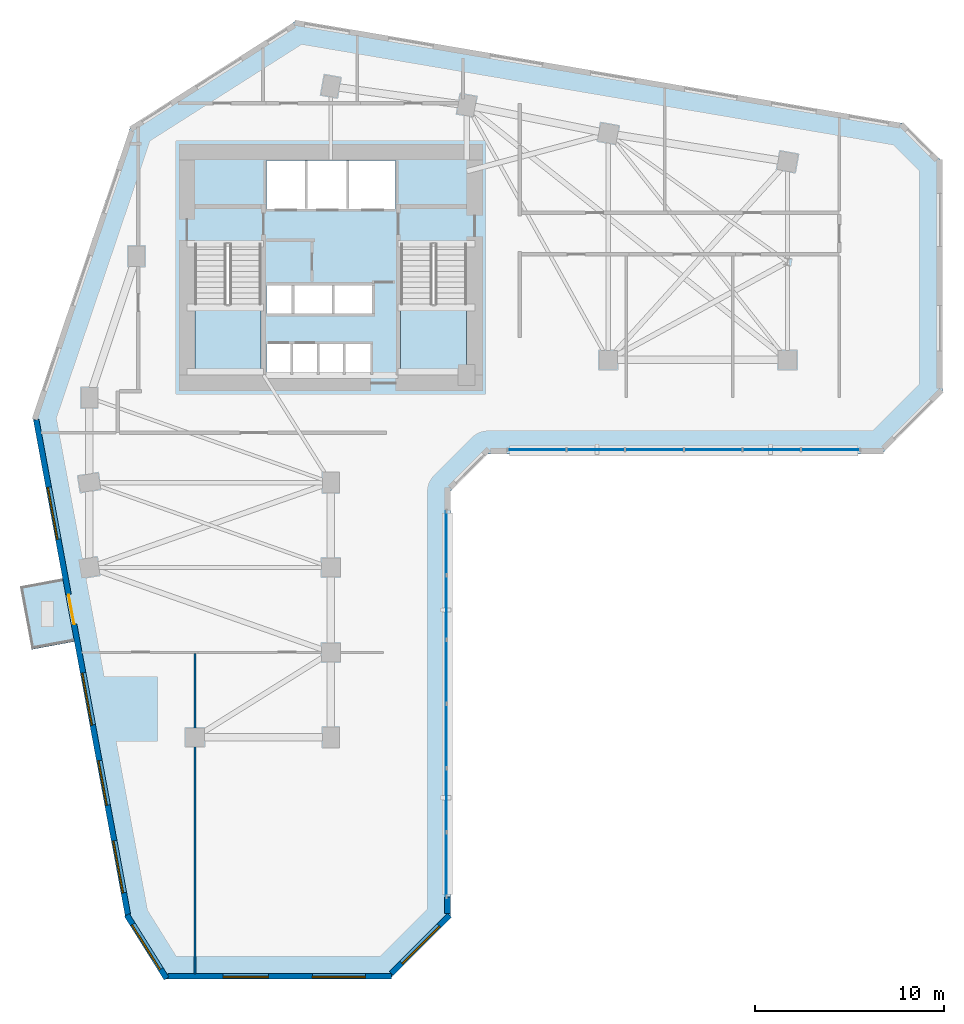
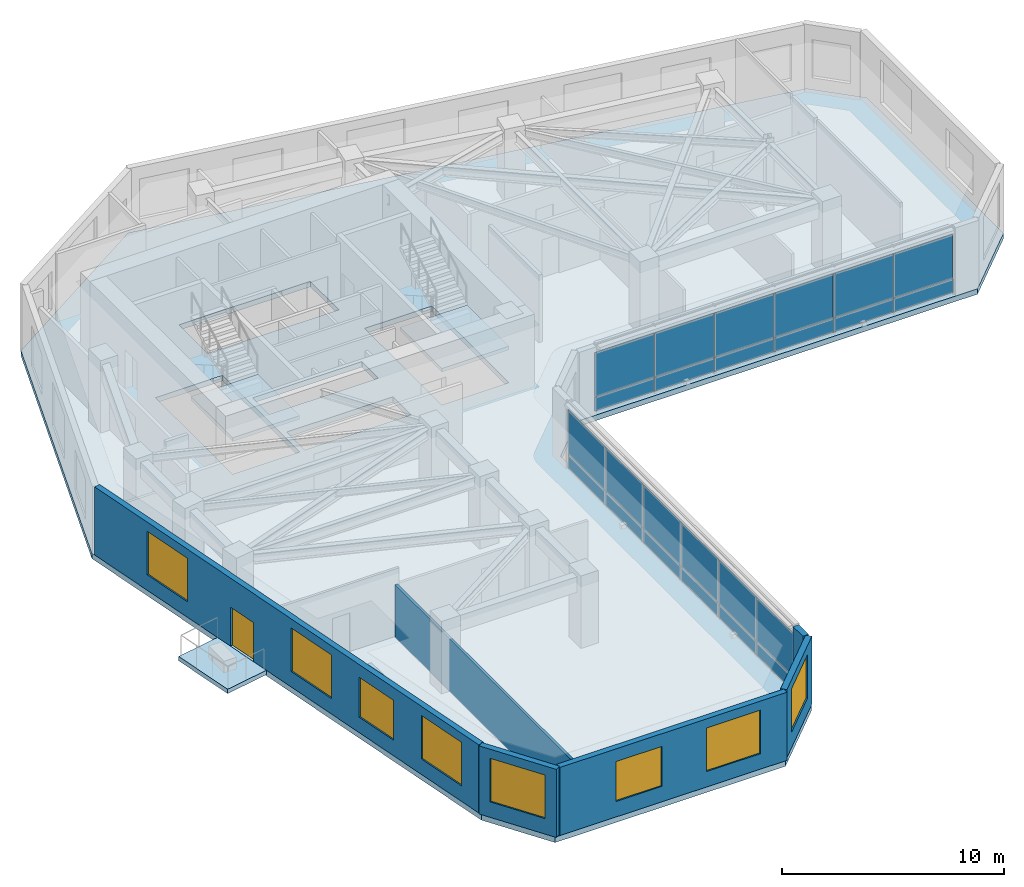
# One storey, part 4 of 9: 24 plates, 8 windows, 6 walls, 4 slabs, 1 door, 9 openings, 4 elements without a shape of their own.
"""IFC4 building model written with IfcOpenShell, lengths in metres."""

from ifc_helpers import new_model, si_unit, direction, frame, frame_2d, origin, place, context, subcontext, project, spatial, polyline, rectangle, outline, extrude, source, transform, mapped, material, layer, layer_set, type_object, element, fill, aggregate, save


model = new_model("IFC4")

# Units and contexts
model_context = context("Model", 3, precision=1e-05, world=origin(), true_north=direction((0.0, 1.0)))
body_context = subcontext(model_context, "Body", "Model", "MODEL_VIEW")
ifc_project = project(units=[si_unit("LENGTHUNIT", "METRE"), si_unit("AREAUNIT", "SQUARE_METRE"), si_unit("VOLUMEUNIT", "CUBIC_METRE"), si_unit("PLANEANGLEUNIT", "RADIAN"), si_unit("MASSUNIT", "GRAM", prefix="KILO")], contexts=[model_context])

# Site, building, storey
site_placement = place(None, origin())
site = spatial("IfcSite", under=ifc_project, at=site_placement, CompositionType="ELEMENT")
building_placement = place(site_placement, origin())
building = spatial("IfcBuilding", under=site, at=building_placement, Name="Calvemar Wedge Station Tower", CompositionType="ELEMENT")
storey_placement = place(building_placement, frame((0.0, 0.0, 63.0)))
storey = spatial("IfcBuildingStorey", under=building, at=storey_placement, Name="L15", CompositionType="ELEMENT", Elevation=63.0)

# Curtain wall, plates
ifc_material_1 = material(Name="Anodised aluminium 6063-T6", Category="aluminium")
curtain_wall_type = type_object("IfcCurtainWallType", Name="CW1", PredefinedType="NOTDEFINED", material=ifc_material_1)
curtain_wall_1_placement = place(storey_placement, origin())
curtain_wall_1 = element("IfcCurtainWall", 1, at=curtain_wall_1_placement, inside=storey, type_object=curtain_wall_type, Name="Storey L15 CW1 Recessed Unitised Curtain Wall 4", PredefinedType="NOTDEFINED")
ifc_material_2 = material(Name="Low-E laminated insulated glass", Category="glass")
ifc_layer_1 = layer(ifc_material_2, 0.028076171875)
ifc_layer_set_1 = layer_set([ifc_layer_1], Name="Low-E laminated insulated glass")
plate_type_1 = type_object("IfcPlateType", Name="CW1-GLZ", PredefinedType="CURTAIN_PANEL", material=ifc_layer_set_1)
plate_1_placement = place(storey_placement, frame((29.91796875, 6.580078125, 0.8701171875), z_axis=(0.0, 0.0, 1.0), x_axis=(0.0, 1.0, 0.0)))
plate_1 = element("IfcPlate", 2, at=plate_1_placement, type_object=plate_type_1, Name="CW1 vision glass panel 1", PredefinedType="CURTAIN_PANEL", context=body_context, shape_type="SweptSolid", body=[
    extrude(rectangle(XDim=3.36865234375, YDim=0.028076171875, at=frame_2d((1.684326171875, 0.0))), origin(), (0.0, 0.0, 1.0), 2.409912109375),
])
plate_2_placement = place(storey_placement, frame((29.91796875, 9.98486328125, 0.8701171875), z_axis=(0.0, 0.0, 1.0), x_axis=(0.0, 1.0, 0.0)))
plate_2 = element("IfcPlate", 3, at=plate_2_placement, type_object=plate_type_1, Name="CW1 vision glass panel 2", PredefinedType="CURTAIN_PANEL", context=body_context, shape_type="SweptSolid", body=[
    extrude(rectangle(XDim=3.36865234375, YDim=0.028076171875, at=frame_2d((1.684326171875, 0.0))), origin(), (0.0, 0.0, 1.0), 2.409912109375),
])
plate_3_placement = place(storey_placement, frame((29.91796875, 13.389404296875, 0.8701171875), z_axis=(0.0, 0.0, 1.0), x_axis=(0.0, 1.0, 0.0)))
plate_3 = element("IfcPlate", 4, at=plate_3_placement, type_object=plate_type_1, Name="CW1 vision glass panel 3", PredefinedType="CURTAIN_PANEL", context=body_context, shape_type="SweptSolid", body=[
    extrude(rectangle(XDim=3.36865234375, YDim=0.028076171875, at=frame_2d((1.684326171875, 0.0))), origin(), (0.0, 0.0, 1.0), 2.409912109375),
])
plate_4_placement = place(storey_placement, frame((29.91796875, 16.794189453125, 0.8701171875), z_axis=(0.0, 0.0, 1.0), x_axis=(0.0, 1.0, 0.0)))
plate_4 = element("IfcPlate", 5, at=plate_4_placement, type_object=plate_type_1, Name="CW1 vision glass panel 4", PredefinedType="CURTAIN_PANEL", context=body_context, shape_type="SweptSolid", body=[
    extrude(rectangle(XDim=3.36865234375, YDim=0.028076171875, at=frame_2d((1.684326171875, 0.0))), origin(), (0.0, 0.0, 1.0), 2.409912109375),
])
plate_5_placement = place(storey_placement, frame((29.91796875, 20.19873046875, 0.8701171875), z_axis=(0.0, 0.0, 1.0), x_axis=(0.0, 1.0, 0.0)))
plate_5 = element("IfcPlate", 6, at=plate_5_placement, type_object=plate_type_1, Name="CW1 vision glass panel 5", PredefinedType="CURTAIN_PANEL", context=body_context, shape_type="SweptSolid", body=[
    extrude(rectangle(XDim=3.36865234375, YDim=0.028076171875, at=frame_2d((1.684326171875, 0.0))), origin(), (0.0, 0.0, 1.0), 2.409912109375),
])
plate_6_placement = place(storey_placement, frame((29.91796875, 23.603515625, 0.8701171875), z_axis=(0.0, 0.0, 1.0), x_axis=(0.0, 1.0, 0.0)))
plate_6 = element("IfcPlate", 7, at=plate_6_placement, type_object=plate_type_1, Name="CW1 vision glass panel 6", PredefinedType="CURTAIN_PANEL", context=body_context, shape_type="SweptSolid", body=[
    extrude(rectangle(XDim=3.36865234375, YDim=0.028076171875, at=frame_2d((1.684326171875, 0.0))), origin(), (0.0, 0.0, 1.0), 2.409912109375),
])

curtain_wall_2_placement = place(storey_placement, origin())
curtain_wall_2 = element("IfcCurtainWall", 8, at=curtain_wall_2_placement, inside=storey, type_object=curtain_wall_type, Name="Storey L15 CW1 Recessed Unitised Curtain Wall 6", PredefinedType="NOTDEFINED")
plate_7_placement = place(storey_placement, frame((33.183837890625, 30.238037109375, 0.8701171875), z_axis=(0.0, 0.0, 1.0), x_axis=(1.0, 0.0, 0.0)))
plate_7 = element("IfcPlate", 9, at=plate_7_placement, type_object=plate_type_1, Name="CW1 vision glass panel 1", PredefinedType="CURTAIN_PANEL", context=body_context, shape_type="SweptSolid", body=[
    extrude(rectangle(XDim=3.076171875, YDim=0.028076171875, at=frame_2d((1.5380859375, 0.0))), origin(), (0.0, 0.0, 1.0), 2.409912109375),
])
plate_8_placement = place(storey_placement, frame((36.2958984375, 30.238037109375, 0.8701171875), z_axis=(0.0, 0.0, 1.0), x_axis=(1.0, 0.0, 0.0)))
plate_8 = element("IfcPlate", 10, at=plate_8_placement, type_object=plate_type_1, Name="CW1 vision glass panel 2", PredefinedType="CURTAIN_PANEL", context=body_context, shape_type="SweptSolid", body=[
    extrude(rectangle(XDim=3.075927734375, YDim=0.028076171875, at=frame_2d((1.5380859375, 0.0))), origin(), (0.0, 0.0, 1.0), 2.409912109375),
])
plate_9_placement = place(storey_placement, frame((39.407958984375, 30.238037109375, 0.8701171875), z_axis=(0.0, 0.0, 1.0), x_axis=(1.0, 0.0, 0.0)))
plate_9 = element("IfcPlate", 11, at=plate_9_placement, type_object=plate_type_1, Name="CW1 vision glass panel 3", PredefinedType="CURTAIN_PANEL", context=body_context, shape_type="SweptSolid", body=[
    extrude(rectangle(XDim=3.075927734375, YDim=0.028076171875, at=frame_2d((1.5380859375, 0.0))), origin(), (0.0, 0.0, 1.0), 2.409912109375),
])
plate_10_placement = place(storey_placement, frame((42.52001953125, 30.238037109375, 0.8701171875), z_axis=(0.0, 0.0, 1.0), x_axis=(1.0, 0.0, 0.0)))
plate_10 = element("IfcPlate", 12, at=plate_10_placement, type_object=plate_type_1, Name="CW1 vision glass panel 4", PredefinedType="CURTAIN_PANEL", context=body_context, shape_type="SweptSolid", body=[
    extrude(rectangle(XDim=3.075927734375, YDim=0.028076171875, at=frame_2d((1.5380859375, 0.0))), origin(), (0.0, 0.0, 1.0), 2.409912109375),
])
plate_11_placement = place(storey_placement, frame((45.6318359375, 30.238037109375, 0.8701171875), z_axis=(0.0, 0.0, 1.0), x_axis=(1.0, 0.0, 0.0)))
plate_11 = element("IfcPlate", 13, at=plate_11_placement, type_object=plate_type_1, Name="CW1 vision glass panel 5", PredefinedType="CURTAIN_PANEL", context=body_context, shape_type="SweptSolid", body=[
    extrude(rectangle(XDim=3.076171875, YDim=0.028076171875, at=frame_2d((1.5380859375, 0.0))), origin(), (0.0, 0.0, 1.0), 2.409912109375),
])
plate_12_placement = place(storey_placement, frame((48.743896484375, 30.238037109375, 0.8701171875), z_axis=(0.0, 0.0, 1.0), x_axis=(1.0, 0.0, 0.0)))
plate_12 = element("IfcPlate", 14, at=plate_12_placement, type_object=plate_type_1, Name="CW1 vision glass panel 6", PredefinedType="CURTAIN_PANEL", context=body_context, shape_type="SweptSolid", body=[
    extrude(rectangle(XDim=3.075927734375, YDim=0.028076171875, at=frame_2d((1.5380859375, 0.0))), origin(), (0.0, 0.0, 1.0), 2.409912109375),
])

# Plate
ifc_material_3 = material(Name="Oxidized bronze aluminium spandrel panel 5005-H24", Category="aluminium")
ifc_layer_2 = layer(ifc_material_3, 0.0400390625)
ifc_layer_set_2 = layer_set([ifc_layer_2], Name="Oxidized bronze aluminium spandrel panel 5005-H24")
plate_type_2 = type_object("IfcPlateType", Name="CW1-SPD", PredefinedType="SHEET", material=ifc_layer_set_2)
plate_13_placement = place(storey_placement, frame((29.91796875, 6.580078125, 0.080078125), z_axis=(0.0, 0.0, 1.0), x_axis=(0.0, 1.0, 0.0)))
plate_13 = element("IfcPlate", 15, at=plate_13_placement, type_object=plate_type_2, Name="CW1 bronze spandrel panel 1", PredefinedType="SHEET", context=body_context, shape_type="SweptSolid", body=[
    extrude(rectangle(XDim=3.36865234375, YDim=0.0400390625, at=frame_2d((1.684326171875, 0.0))), origin(), (0.0, 0.0, 1.0), 0.75),
])

plate_14_placement = place(storey_placement, frame((29.91796875, 9.98486328125, 0.080078125), z_axis=(0.0, 0.0, 1.0), x_axis=(0.0, 1.0, 0.0)))
plate_14 = element("IfcPlate", 16, at=plate_14_placement, type_object=plate_type_2, Name="CW1 bronze spandrel panel 2", PredefinedType="SHEET", context=body_context, shape_type="SweptSolid", body=[
    extrude(rectangle(XDim=3.36865234375, YDim=0.0400390625, at=frame_2d((1.684326171875, 0.0))), origin(), (0.0, 0.0, 1.0), 0.75),
])

plate_15_placement = place(storey_placement, frame((29.91796875, 13.389404296875, 0.080078125), z_axis=(0.0, 0.0, 1.0), x_axis=(0.0, 1.0, 0.0)))
plate_15 = element("IfcPlate", 17, at=plate_15_placement, type_object=plate_type_2, Name="CW1 bronze spandrel panel 3", PredefinedType="SHEET", context=body_context, shape_type="SweptSolid", body=[
    extrude(rectangle(XDim=3.36865234375, YDim=0.0400390625, at=frame_2d((1.684326171875, 0.0))), origin(), (0.0, 0.0, 1.0), 0.75),
])

plate_16_placement = place(storey_placement, frame((29.91796875, 16.794189453125, 0.080078125), z_axis=(0.0, 0.0, 1.0), x_axis=(0.0, 1.0, 0.0)))
plate_16 = element("IfcPlate", 18, at=plate_16_placement, type_object=plate_type_2, Name="CW1 bronze spandrel panel 4", PredefinedType="SHEET", context=body_context, shape_type="SweptSolid", body=[
    extrude(rectangle(XDim=3.36865234375, YDim=0.0400390625, at=frame_2d((1.684326171875, 0.0))), origin(), (0.0, 0.0, 1.0), 0.75),
])

plate_17_placement = place(storey_placement, frame((29.91796875, 20.19873046875, 0.080078125), z_axis=(0.0, 0.0, 1.0), x_axis=(0.0, 1.0, 0.0)))
plate_17 = element("IfcPlate", 19, at=plate_17_placement, type_object=plate_type_2, Name="CW1 bronze spandrel panel 5", PredefinedType="SHEET", context=body_context, shape_type="SweptSolid", body=[
    extrude(rectangle(XDim=3.36865234375, YDim=0.0400390625, at=frame_2d((1.684326171875, 0.0))), origin(), (0.0, 0.0, 1.0), 0.75),
])

plate_18_placement = place(storey_placement, frame((29.91796875, 23.603515625, 0.080078125), z_axis=(0.0, 0.0, 1.0), x_axis=(0.0, 1.0, 0.0)))
plate_18 = element("IfcPlate", 20, at=plate_18_placement, type_object=plate_type_2, Name="CW1 bronze spandrel panel 6", PredefinedType="SHEET", context=body_context, shape_type="SweptSolid", body=[
    extrude(rectangle(XDim=3.36865234375, YDim=0.0400390625, at=frame_2d((1.684326171875, 0.0))), origin(), (0.0, 0.0, 1.0), 0.75),
])

aggregate(curtain_wall_1, [plate_13, plate_1, plate_14, plate_2, plate_15, plate_3, plate_16, plate_4, plate_17, plate_5, plate_18, plate_6])

plate_19_placement = place(storey_placement, frame((33.183837890625, 30.238037109375, 0.080078125), z_axis=(0.0, 0.0, 1.0), x_axis=(1.0, 0.0, 0.0)))
plate_19 = element("IfcPlate", 21, at=plate_19_placement, type_object=plate_type_2, Name="CW1 bronze spandrel panel 1", PredefinedType="SHEET", context=body_context, shape_type="SweptSolid", body=[
    extrude(rectangle(XDim=3.076171875, YDim=0.0400390625, at=frame_2d((1.5380859375, 0.0))), origin(), (0.0, 0.0, 1.0), 0.75),
])

plate_20_placement = place(storey_placement, frame((36.2958984375, 30.238037109375, 0.080078125), z_axis=(0.0, 0.0, 1.0), x_axis=(1.0, 0.0, 0.0)))
plate_20 = element("IfcPlate", 22, at=plate_20_placement, type_object=plate_type_2, Name="CW1 bronze spandrel panel 2", PredefinedType="SHEET", context=body_context, shape_type="SweptSolid", body=[
    extrude(rectangle(XDim=3.075927734375, YDim=0.0400390625, at=frame_2d((1.5380859375, 0.0))), origin(), (0.0, 0.0, 1.0), 0.75),
])

plate_21_placement = place(storey_placement, frame((39.407958984375, 30.238037109375, 0.080078125), z_axis=(0.0, 0.0, 1.0), x_axis=(1.0, 0.0, 0.0)))
plate_21 = element("IfcPlate", 23, at=plate_21_placement, type_object=plate_type_2, Name="CW1 bronze spandrel panel 3", PredefinedType="SHEET", context=body_context, shape_type="SweptSolid", body=[
    extrude(rectangle(XDim=3.075927734375, YDim=0.0400390625, at=frame_2d((1.5380859375, 0.0))), origin(), (0.0, 0.0, 1.0), 0.75),
])

plate_22_placement = place(storey_placement, frame((42.52001953125, 30.238037109375, 0.080078125), z_axis=(0.0, 0.0, 1.0), x_axis=(1.0, 0.0, 0.0)))
plate_22 = element("IfcPlate", 24, at=plate_22_placement, type_object=plate_type_2, Name="CW1 bronze spandrel panel 4", PredefinedType="SHEET", context=body_context, shape_type="SweptSolid", body=[
    extrude(rectangle(XDim=3.075927734375, YDim=0.0400390625, at=frame_2d((1.5380859375, 0.0))), origin(), (0.0, 0.0, 1.0), 0.75),
])

plate_23_placement = place(storey_placement, frame((45.6318359375, 30.238037109375, 0.080078125), z_axis=(0.0, 0.0, 1.0), x_axis=(1.0, 0.0, 0.0)))
plate_23 = element("IfcPlate", 25, at=plate_23_placement, type_object=plate_type_2, Name="CW1 bronze spandrel panel 5", PredefinedType="SHEET", context=body_context, shape_type="SweptSolid", body=[
    extrude(rectangle(XDim=3.076171875, YDim=0.0400390625, at=frame_2d((1.5380859375, 0.0))), origin(), (0.0, 0.0, 1.0), 0.75),
])

plate_24_placement = place(storey_placement, frame((48.743896484375, 30.238037109375, 0.080078125), z_axis=(0.0, 0.0, 1.0), x_axis=(1.0, 0.0, 0.0)))
plate_24 = element("IfcPlate", 26, at=plate_24_placement, type_object=plate_type_2, Name="CW1 bronze spandrel panel 6", PredefinedType="SHEET", context=body_context, shape_type="SweptSolid", body=[
    extrude(rectangle(XDim=3.075927734375, YDim=0.0400390625, at=frame_2d((1.5380859375, 0.0))), origin(), (0.0, 0.0, 1.0), 0.75),
])

aggregate(curtain_wall_2, [plate_19, plate_7, plate_20, plate_8, plate_21, plate_9, plate_22, plate_10, plate_23, plate_11, plate_24, plate_12])

# Slab
ifc_material_4 = material(Name="Concrete C50", Category="concrete")
ifc_layer_3 = layer(ifc_material_4, 0.300048828125)
ifc_layer_set_3 = layer_set([ifc_layer_3], Name="Concrete C50")
slab_type_1 = type_object("IfcSlabType", Name="SL-REF-300", PredefinedType="FLOOR", material=ifc_layer_set_3)
slab_1_placement = place(storey_placement, frame((0.0, 0.0, -0.300048828125)))
element("IfcSlab", 27, at=slab_1_placement, inside=storey, type_object=slab_type_1, Name="Storey L15 Structural Floor Slab", PredefinedType="FLOOR", context=body_context, shape_type="SweptSolid", body=[
    extrude(outline(polyline([(8.0, 32.0), (12.927978515625, 5.39990234375), (14.927978515625, 2.199951171875), (26.927978515625, 2.199951171875), (30.1279296875, 5.39990234375), (30.1279296875, 28.028076171875), (32.1279296875, 30.028076171875), (53.0, 30.028076171875), (56.199951171875, 33.22802734375), (56.199951171875, 45.528076171875), (54.199951171875, 47.528076171875), (22.0, 53.0), (13.199951171875, 47.39990234375), (8.0, 32.0)]), holes=[polyline([(21.739990234375, 35.85009765625), (21.72998046875, 35.85009765625), (20.3798828125, 35.85009765625), (20.3798828125, 34.219970703125), (21.72998046875, 34.219970703125), (21.739990234375, 34.219970703125), (23.1201171875, 34.219970703125), (23.1298828125, 34.219970703125), (24.510009765625, 34.219970703125), (24.52001953125, 34.219970703125), (25.909912109375, 34.219970703125), (25.909912109375, 35.85009765625), (24.52001953125, 35.85009765625), (24.510009765625, 35.85009765625), (23.1298828125, 35.85009765625), (23.1201171875, 35.85009765625), (21.739990234375, 35.85009765625)]), polyline([(16.60009765625, 41.14990234375), (16.60009765625, 34.199951171875), (20.10009765625, 34.199951171875), (20.10009765625, 41.14990234375), (16.60009765625, 41.14990234375)]), polyline([(27.5, 34.199951171875), (31.0, 34.199951171875), (31.0, 41.14990234375), (27.5, 41.14990234375), (27.5, 34.199951171875)]), polyline([(21.7900390625, 37.449951171875), (21.800048828125, 37.449951171875), (23.929931640625, 37.449951171875), (23.93994140625, 37.449951171875), (26.080078125, 37.449951171875), (26.080078125, 38.949951171875), (23.93994140625, 38.949951171875), (23.929931640625, 38.949951171875), (21.800048828125, 38.949951171875), (21.7900390625, 38.949951171875), (20.3798828125, 38.949951171875), (20.3798828125, 37.449951171875), (21.7900390625, 37.449951171875)]), polyline([(20.3798828125, 43.0), (27.219970703125, 43.0), (27.219970703125, 45.580078125), (20.3798828125, 45.580078125), (20.3798828125, 43.0)])]), origin(), (0.0, 0.0, 1.0), 0.300048828125),
])

# Stair, slab
ifc_material_5 = material(Name="Concrete C45", Category="concrete")
stair_type = type_object("IfcStairType", Name="ST-TYPE-4000", PredefinedType="HALF_TURN_STAIR", material=ifc_material_5)
stair_1_placement = place(storey_placement, origin())
stair_1 = element("IfcStair", 28, at=stair_1_placement, inside=storey, type_object=stair_type, Name="L15 Pressurized Core Exit Stair ST-C1", PredefinedType="HALF_TURN_STAIR")
ifc_layer_4 = layer(ifc_material_5, 0.199951171875)
ifc_layer_set_4 = layer_set([ifc_layer_4], Name="Concrete C45")
slab_type_2 = type_object("IfcSlabType", Name="SL-STAIR-LND-200", PredefinedType="LANDING", material=ifc_layer_set_4)
slab_2_placement = place(storey_placement, frame((0.0, 0.0, 1.800048828125)))
slab_2 = element("IfcSlab", 29, at=slab_2_placement, type_object=slab_type_2, Name="ST-C1 landing 1", PredefinedType="LANDING", context=body_context, shape_type="SweptSolid", body=[
    extrude(outline(polyline([(16.60009765625, 37.9599609375), (16.60009765625, 34.199951171875), (20.10009765625, 34.199951171875), (20.10009765625, 37.9599609375), (16.60009765625, 37.9599609375)])), origin(), (0.0, 0.0, 1.0), 0.199951171875),
])
aggregate(stair_1, [slab_2])

stair_2_placement = place(storey_placement, origin())
stair_2 = element("IfcStair", 30, at=stair_2_placement, inside=storey, type_object=stair_type, Name="L15 Pressurized Core Exit Stair ST-C2", PredefinedType="HALF_TURN_STAIR")
slab_3_placement = place(storey_placement, frame((0.0, 0.0, 1.800048828125)))
slab_3 = element("IfcSlab", 31, at=slab_3_placement, type_object=slab_type_2, Name="ST-C2 landing 1", PredefinedType="LANDING", context=body_context, shape_type="SweptSolid", body=[
    extrude(outline(polyline([(27.5, 37.9599609375), (27.5, 34.199951171875), (31.0, 34.199951171875), (31.0, 37.9599609375), (27.5, 37.9599609375)])), origin(), (0.0, 0.0, 1.0), 0.199951171875),
])
aggregate(stair_2, [slab_3])

# Slab
ifc_layer_5 = layer(ifc_material_5, 0.239990234375)
ifc_layer_set_5 = layer_set([ifc_layer_5], Name="Concrete C45")
slab_type_3 = type_object("IfcSlabType", Name="SL-TERR-240", PredefinedType="FLOOR", material=ifc_layer_set_5)
slab_4_placement = place(storey_placement, frame((0.0, 0.0, -0.239990234375)))
element("IfcSlab", 32, at=slab_4_placement, inside=storey, type_object=slab_type_3, Name="Storey L15 Planted Spiral Terrace Slab", PredefinedType="FLOOR", context=body_context, shape_type="SweptSolid", body=[
    extrude(outline(polyline([(9.589111328125, 23.422119140625), (7.326904296875, 23.0029296875), (7.947021484375, 19.658935546875), (10.208984375, 20.077880859375), (9.589111328125, 23.422119140625)])), origin(), (0.0, 0.0, 1.0), 0.239990234375),
])

# Wall, opening, window
ifc_material_6 = material(Name="Precast concrete C45", Category="concrete")
ifc_layer_6 = layer(ifc_material_6, 0.300048828125)
ifc_layer_set_6 = layer_set([ifc_layer_6], Name="Precast concrete C45")
wall_type_1 = type_object("IfcWallType", Name="W-EXT-GFRC-300", PredefinedType="SOLIDWALL", material=ifc_layer_set_6)
wall_1_placement = place(storey_placement, frame((12.99072265625, 5.58251953125, 0.0), z_axis=(0.0, 0.0, 1.0), x_axis=(0.530015557218, -0.847987918019, 0.0)))
wall_1 = element("IfcWall", 33, at=wall_1_placement, inside=storey, type_object=wall_type_1, Name="Storey L15 Bronze GFRC Exterior Wall 1", PredefinedType="SOLIDWALL", context=body_context, shape_type="SweptSolid", body=[
    extrude(rectangle(XDim=3.9619140625, YDim=0.300048828125, at=frame_2d((1.98095703125, 0.0))), origin(), (0.0, 0.0, 1.0), 3.75),
])
shared_shape_1 = source(origin(), body_context, "Body", "SweptSolid", [
    extrude(rectangle(XDim=2.800048828125, YDim=2.39990234375, at=frame_2d((1.39990234375, 1.199951171875))), frame((0.0, 0.16015625, 0.0), z_axis=(0.0, -1.0, 0.0), x_axis=(1.0, 0.0, 0.0)), (0.0, 0.0, 1.0), 0.320068359375),
])
opening_1_placement = place(wall_1_placement, frame((0.5810546875, 0.0, 0.85009765625)))
opening_1 = element("IfcOpeningElement", 34, at=opening_1_placement, cuts=wall_1, Name="Opening W6", PredefinedType="OPENING", context=body_context, shape_type="MappedRepresentation", body=[
    mapped(shared_shape_1, transform((0.0, 0.0, 0.0), scale=1.0)),
])
window_type_1 = type_object("IfcWindowType", Name="WIN-EXT-6", PartitioningType="SINGLE_PANEL", PredefinedType="WINDOW", material=ifc_material_2)
shared_shape_2 = source(origin(), body_context, "Body", "SweptSolid", [
    extrude(rectangle(XDim=2.800048828125, YDim=2.39990234375, at=frame_2d((1.39990234375, 1.199951171875))), frame((0.0, -0.014892578125, 0.0), z_axis=(0.0, -1.0, 0.0), x_axis=(1.0, 0.0, 0.0)), (0.0, 0.0, 1.0), 0.06005859375),
])
window_1_placement = place(opening_1_placement, origin())
window_1 = element("IfcWindow", 35, at=window_1_placement, inside=storey, type_object=window_type_1, Name="Storey L15 Recessed Window 1.1", OverallHeight=2.39990234375, OverallWidth=2.800048828125, PartitioningType="SINGLE_PANEL", PredefinedType="WINDOW", context=body_context, shape_type="MappedRepresentation", body=[
    mapped(shared_shape_2, transform((0.0, 0.0, 0.0), scale=1.0)),
])
fill(opening_1, window_1)

# Wall, openings, windows
wall_2_placement = place(storey_placement, frame((15.173828125, 2.35009765625, 0.0), z_axis=(0.0, 0.0, 1.0), x_axis=(1.0, 0.0, 0.0)))
wall_2 = element("IfcWall", 36, at=wall_2_placement, inside=storey, type_object=wall_type_1, Name="Storey L15 Bronze GFRC Exterior Wall 2", PredefinedType="SOLIDWALL", context=body_context, shape_type="SweptSolid", body=[
    extrude(rectangle(XDim=11.842041015625, YDim=0.300048828125, at=frame_2d((5.9208984375, 0.0))), origin(), (0.0, 0.0, 1.0), 3.75),
])
shared_shape_3 = source(origin(), body_context, "Body", "SweptSolid", [
    extrude(rectangle(XDim=2.39990234375, YDim=2.199951171875, at=frame_2d((1.199951171875, 1.10009765625))), frame((0.0, 0.16015625, 0.0), z_axis=(0.0, -1.0, 0.0), x_axis=(1.0, 0.0, 0.0)), (0.0, 0.0, 1.0), 0.320068359375),
])
opening_2_placement = place(wall_2_placement, frame((2.9150390625, 0.0, 0.85009765625)))
opening_2 = element("IfcOpeningElement", 37, at=opening_2_placement, cuts=wall_2, Name="Opening W1", PredefinedType="OPENING", context=body_context, shape_type="MappedRepresentation", body=[
    mapped(shared_shape_3, transform((0.0, 0.0, 0.0), scale=1.0)),
])
opening_3_placement = place(wall_2_placement, frame((7.653076171875, 0.0, 0.85009765625)))
opening_3 = element("IfcOpeningElement", 38, at=opening_3_placement, cuts=wall_2, Name="Opening W6", PredefinedType="OPENING", context=body_context, shape_type="MappedRepresentation", body=[
    mapped(shared_shape_1, transform((0.0, 0.0, 0.0), scale=1.0)),
])
window_2_placement = place(opening_3_placement, origin())
window_2 = element("IfcWindow", 39, at=window_2_placement, inside=storey, type_object=window_type_1, Name="Storey L15 Recessed Window 2.2", OverallHeight=2.39990234375, OverallWidth=2.800048828125, PartitioningType="SINGLE_PANEL", PredefinedType="WINDOW", context=body_context, shape_type="MappedRepresentation", body=[
    mapped(shared_shape_2, transform((0.0, 0.0, 0.0), scale=1.0)),
])
fill(opening_3, window_2)
window_type_2 = type_object("IfcWindowType", Name="WIN-EXT-1", PartitioningType="SINGLE_PANEL", PredefinedType="WINDOW", material=ifc_material_2)
shared_shape_4 = source(origin(), body_context, "Body", "SweptSolid", [
    extrude(rectangle(XDim=2.39990234375, YDim=2.199951171875, at=frame_2d((1.199951171875, 1.10009765625))), frame((0.0, -0.014892578125, 0.0), z_axis=(0.0, -1.0, 0.0), x_axis=(1.0, 0.0, 0.0)), (0.0, 0.0, 1.0), 0.06005859375),
])
window_3_placement = place(opening_2_placement, origin())
window_3 = element("IfcWindow", 40, at=window_3_placement, inside=storey, type_object=window_type_2, Name="Storey L15 Recessed Window 2.1", OverallHeight=2.199951171875, OverallWidth=2.39990234375, PartitioningType="SINGLE_PANEL", PredefinedType="WINDOW", context=body_context, shape_type="MappedRepresentation", body=[
    mapped(shared_shape_4, transform((0.0, 0.0, 0.0), scale=1.0)),
])
fill(opening_2, window_3)

# Wall, opening, window
wall_3_placement = place(storey_placement, frame((27.00390625, 2.488037109375, 0.0), z_axis=(0.0, 0.0, 1.0), x_axis=(0.707106781187, 0.707106781187, 0.0)))
wall_3 = element("IfcWall", 41, at=wall_3_placement, inside=storey, type_object=wall_type_1, Name="Storey L15 Bronze GFRC Exterior Wall 3", PredefinedType="SOLIDWALL", context=body_context, shape_type="SweptSolid", body=[
    extrude(rectangle(XDim=4.35595703125, YDim=0.300048828125, at=frame_2d((2.177978515625, 0.0))), origin(), (0.0, 0.0, 1.0), 3.75),
])
opening_4_placement = place(wall_3_placement, frame((0.778076171875, 0.0, 0.85009765625)))
opening_4 = element("IfcOpeningElement", 42, at=opening_4_placement, cuts=wall_3, Name="Opening W6", PredefinedType="OPENING", context=body_context, shape_type="MappedRepresentation", body=[
    mapped(shared_shape_1, transform((0.0, 0.0, 0.0), scale=1.0)),
])
window_4_placement = place(opening_4_placement, origin())
window_4 = element("IfcWindow", 43, at=window_4_placement, inside=storey, type_object=window_type_1, Name="Storey L15 Recessed Window 3.1", OverallHeight=2.39990234375, OverallWidth=2.800048828125, PartitioningType="SINGLE_PANEL", PredefinedType="WINDOW", context=body_context, shape_type="MappedRepresentation", body=[
    mapped(shared_shape_2, transform((0.0, 0.0, 0.0), scale=1.0)),
])
fill(opening_4, window_4)

# Wall
wall_4_placement = place(storey_placement, frame((29.97802734375, 5.6572265625, 0.0), z_axis=(0.0, 0.0, 1.0), x_axis=(0.0, 1.0, 0.0)))
element("IfcWall", 44, at=wall_4_placement, inside=storey, type_object=wall_type_1, Name="Storey L15 Bronze GFRC Corner Pier 4A", PredefinedType="SOLIDWALL", context=body_context, shape_type="SweptSolid", body=[
    extrude(rectangle(XDim=0.8798828125, YDim=0.300048828125, at=frame_2d((0.43994140625, 0.0))), origin(), (0.0, 0.0, 1.0), 3.75),
])

# Wall, openings, windows, door
wall_5_placement = place(storey_placement, frame((8.183349609375, 31.83349609375, 0.0), z_axis=(0.0, 0.0, 1.0), x_axis=(0.18216364648, -0.983268226834, 0.0)))
wall_5 = element("IfcWall", 45, at=wall_5_placement, inside=storey, type_object=wall_type_1, Name="Storey L15 Bronze GFRC Exterior Wall 13", PredefinedType="SOLIDWALL", context=body_context, shape_type="SweptSolid", body=[
    extrude(rectangle(XDim=26.678466796875, YDim=0.300048828125, at=frame_2d((13.33935546875, 0.0))), origin(), (0.0, 0.0, 1.0), 3.75),
])
shared_shape_5 = source(origin(), body_context, "Body", "SweptSolid", [
    extrude(rectangle(XDim=1.60009765625, YDim=2.14990234375, at=frame_2d((0.800048828125, 1.074951171875))), frame((0.0, 0.16015625, 0.0), z_axis=(0.0, -1.0, 0.0), x_axis=(1.0, 0.0, 0.0)), (0.0, 0.0, 1.0), 0.320068359375),
])
opening_5_placement = place(wall_5_placement, frame((9.427001953125, 0.0, 0.0)))
opening_5 = element("IfcOpeningElement", 46, at=opening_5_placement, cuts=wall_5, Name="Opening DT1", PredefinedType="OPENING", context=body_context, shape_type="MappedRepresentation", body=[
    mapped(shared_shape_5, transform((0.0, 0.0, 0.0), scale=1.0)),
])
opening_6_placement = place(wall_5_placement, frame((3.64208984375, 0.0, 0.85009765625)))
opening_6 = element("IfcOpeningElement", 47, at=opening_6_placement, cuts=wall_5, Name="Opening W6", PredefinedType="OPENING", context=body_context, shape_type="MappedRepresentation", body=[
    mapped(shared_shape_1, transform((0.0, 0.0, 0.0), scale=1.0)),
])
opening_7_placement = place(wall_5_placement, frame((13.64697265625, 0.0, 0.85009765625)))
opening_7 = element("IfcOpeningElement", 48, at=opening_7_placement, cuts=wall_5, Name="Opening W6", PredefinedType="OPENING", context=body_context, shape_type="MappedRepresentation", body=[
    mapped(shared_shape_1, transform((0.0, 0.0, 0.0), scale=1.0)),
])
opening_8_placement = place(wall_5_placement, frame((18.3720703125, 0.0, 0.85009765625)))
opening_8 = element("IfcOpeningElement", 49, at=opening_8_placement, cuts=wall_5, Name="Opening W1", PredefinedType="OPENING", context=body_context, shape_type="MappedRepresentation", body=[
    mapped(shared_shape_3, transform((0.0, 0.0, 0.0), scale=1.0)),
])
opening_9_placement = place(wall_5_placement, frame((22.696044921875, 0.0, 0.85009765625)))
opening_9 = element("IfcOpeningElement", 50, at=opening_9_placement, cuts=wall_5, Name="Opening W6", PredefinedType="OPENING", context=body_context, shape_type="MappedRepresentation", body=[
    mapped(shared_shape_1, transform((0.0, 0.0, 0.0), scale=1.0)),
])
window_5_placement = place(opening_6_placement, origin())
window_5 = element("IfcWindow", 51, at=window_5_placement, inside=storey, type_object=window_type_1, Name="Storey L15 Recessed Window 13.1", OverallHeight=2.39990234375, OverallWidth=2.800048828125, PartitioningType="SINGLE_PANEL", PredefinedType="WINDOW", context=body_context, shape_type="MappedRepresentation", body=[
    mapped(shared_shape_2, transform((0.0, 0.0, 0.0), scale=1.0)),
])
fill(opening_6, window_5)
window_6_placement = place(opening_7_placement, origin())
window_6 = element("IfcWindow", 52, at=window_6_placement, inside=storey, type_object=window_type_1, Name="Storey L15 Recessed Window 13.2", OverallHeight=2.39990234375, OverallWidth=2.800048828125, PartitioningType="SINGLE_PANEL", PredefinedType="WINDOW", context=body_context, shape_type="MappedRepresentation", body=[
    mapped(shared_shape_2, transform((0.0, 0.0, 0.0), scale=1.0)),
])
fill(opening_7, window_6)
window_7_placement = place(opening_9_placement, origin())
window_7 = element("IfcWindow", 53, at=window_7_placement, inside=storey, type_object=window_type_1, Name="Storey L15 Recessed Window 13.4", OverallHeight=2.39990234375, OverallWidth=2.800048828125, PartitioningType="SINGLE_PANEL", PredefinedType="WINDOW", context=body_context, shape_type="MappedRepresentation", body=[
    mapped(shared_shape_2, transform((0.0, 0.0, 0.0), scale=1.0)),
])
fill(opening_9, window_7)
window_8_placement = place(opening_8_placement, origin())
window_8 = element("IfcWindow", 54, at=window_8_placement, inside=storey, type_object=window_type_2, Name="Storey L15 Recessed Window 13.3", OverallHeight=2.199951171875, OverallWidth=2.39990234375, PartitioningType="SINGLE_PANEL", PredefinedType="WINDOW", context=body_context, shape_type="MappedRepresentation", body=[
    mapped(shared_shape_4, transform((0.0, 0.0, 0.0), scale=1.0)),
])
fill(opening_8, window_8)
door_type = type_object("IfcDoorType", Name="DR-TERR-1600", OperationType="DOUBLE_DOOR_SLIDING", PredefinedType="DOOR", material=ifc_material_1)
shared_shape_6 = source(origin(), body_context, "Body", "SweptSolid", [
    extrude(rectangle(XDim=1.60009765625, YDim=2.14990234375, at=frame_2d((0.800048828125, 1.074951171875))), frame((0.0, 0.02490234375, 0.0), z_axis=(0.0, -1.0, 0.0), x_axis=(1.0, 0.0, 0.0)), (0.0, 0.0, 1.0), 0.050048828125),
])
door_placement = place(opening_5_placement, origin())
door = element("IfcDoor", 55, at=door_placement, inside=storey, type_object=door_type, Name="Storey L15 Spiral Terrace Door", OperationType="DOUBLE_DOOR_SLIDING", OverallHeight=2.14990234375, OverallWidth=1.60009765625, PredefinedType="DOOR", context=body_context, shape_type="MappedRepresentation", body=[
    mapped(shared_shape_6, transform((0.0, 0.0, 0.0), scale=1.0)),
])
fill(opening_5, door)

# Wall
ifc_material_7 = material(Name="Insulated acoustic gypsum stud partition")
ifc_layer_7 = layer(ifc_material_7, 0.125)
ifc_layer_set_7 = layer_set([ifc_layer_7], Name="Insulated acoustic gypsum stud partition")
wall_type_2 = type_object("IfcWallType", Name="W-PART-125", PredefinedType="PARTITIONING", material=ifc_layer_set_7)
wall_6_placement = place(storey_placement, frame((16.60009765625, 19.43359375, 0.0), z_axis=(0.0, 0.0, 1.0), x_axis=(0.0, -1.0, 0.0)))
element("IfcWall", 56, at=wall_6_placement, inside=storey, type_object=wall_type_2, Name="Storey L15 Interior Partition WL-L15-031", PredefinedType="PARTITIONING", context=body_context, shape_type="SweptSolid", body=[
    extrude(rectangle(XDim=16.968505859375, YDim=0.125, at=frame_2d((8.484375, 0.0))), origin(), (0.0, 0.0, 1.0), 2.89208984375),
])

save(model, "model.ifc")
